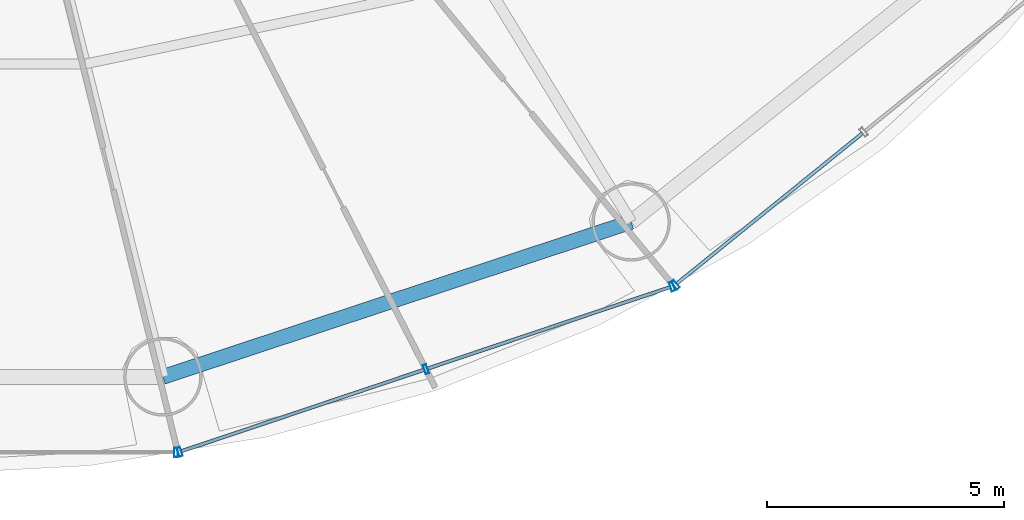
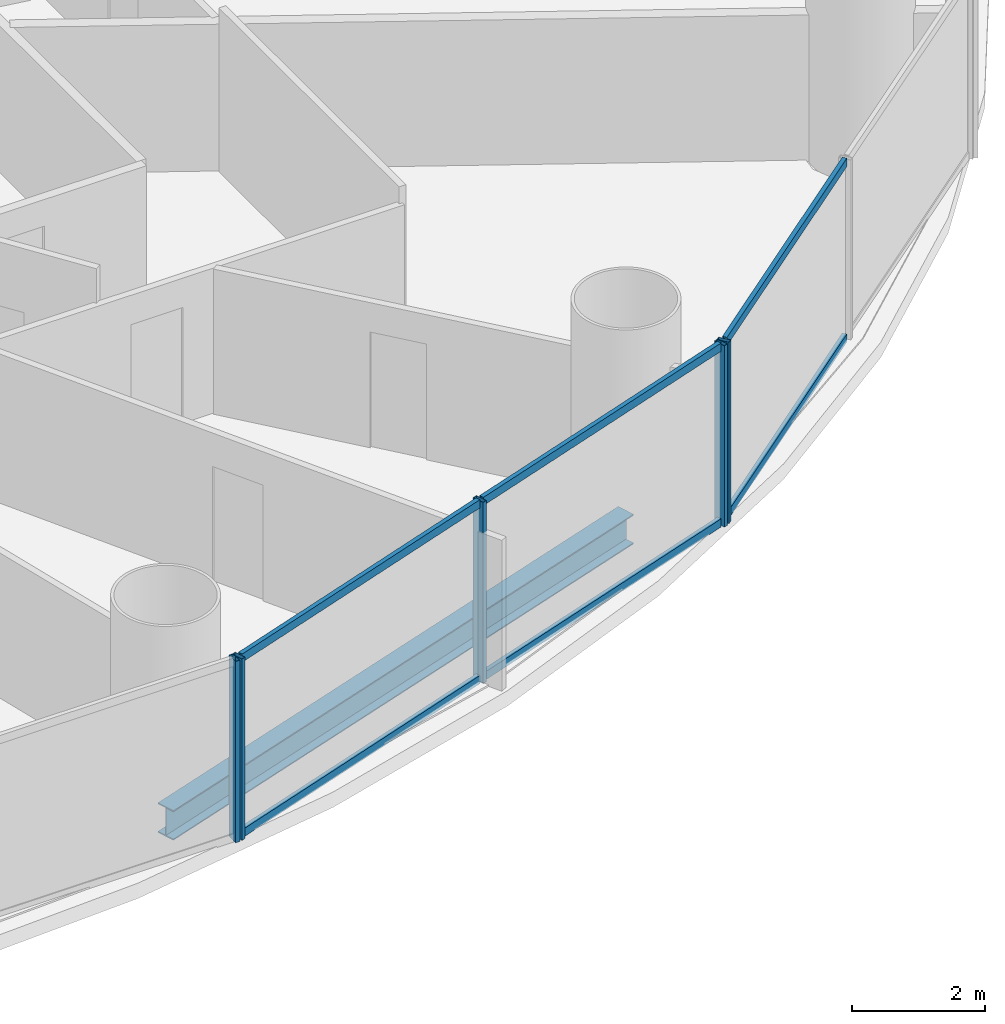
# One storey, part 10 of 29: 11 members, 1 beam, 3 elements without a shape of their own.
"""IFC4 building model written with IfcOpenShell, lengths in metres."""

from ifc_helpers import new_model, si_unit, direction, frame, origin, origin_2d, place, context, subcontext, project, spatial, hollow_rectangle, i_section, extrude, source, transform, mapped, material, material_profile, profile_set, type_object, element, aggregate, save


model = new_model("IFC4")

# Units and contexts
model_context = context("Model", 3, precision=1e-05, world=origin(), true_north=direction((-0.2419218956, 0.970295726276)))
body_context = subcontext(model_context, "Body", "Model", "MODEL_VIEW")
ifc_project = project(units=[si_unit("LENGTHUNIT", "METRE"), si_unit("AREAUNIT", "SQUARE_METRE"), si_unit("VOLUMEUNIT", "CUBIC_METRE"), si_unit("PLANEANGLEUNIT", "RADIAN"), si_unit("MASSUNIT", "GRAM", prefix="KILO")], contexts=[model_context])

# Site, building, storey
site_placement = place(None, origin())
site = spatial("IfcSite", under=ifc_project, at=site_placement, CompositionType="ELEMENT")
building_placement = place(site_placement, origin())
building = spatial("IfcBuilding", under=site, at=building_placement, Name="Cobrevalo Terracotta Tower", CompositionType="ELEMENT")
storey_placement = place(building_placement, frame((0.0, 0.0, 49.199951171875)))
storey = spatial("IfcBuildingStorey", under=building, at=storey_placement, Name="L12", CompositionType="ELEMENT", Elevation=49.199951171875)

# Beam
ifc_material_1 = material(Name="Steel S355", Category="steel")
ifc_material_profile_1 = material_profile(ifc_material_1, i_section(OverallWidth=0.31201171875, OverallDepth=0.54296875, WebThickness=0.0126953125, FlangeThickness=0.020263671875, at=origin_2d()), Name="W 530x150")
ifc_profile_set_1 = profile_set([ifc_material_profile_1], Name="Steel S355")
beam_type = type_object("IfcBeamType", Name="Structural Spandrel W 530x150 (Steel S355)", PredefinedType="SPANDREL", material=ifc_profile_set_1)
beam_placement = place(storey_placement, frame((43.335693359375, 5.369873046875, -0.551513671875), z_axis=(0.949372202648, 0.314153498848, 0.0), x_axis=(-0.314153498848, 0.949372202648, 0.0)))
element("IfcBeam", 1, at=beam_placement, inside=storey, type_object=beam_type, Name="L12 perimeter ring spandrel 13", PredefinedType="SPANDREL", context=body_context, shape_type="SweptSolid", body=[
    extrude(i_section(OverallWidth=0.31201171875, OverallDepth=0.54296875, WebThickness=0.0126953125, FlangeThickness=0.020263671875, at=origin_2d()), origin(), (0.0, 0.0, 1.0), 10.385009765625),
])

# Curtain wall, member
ifc_material_2 = material(Name="Anodized aluminium", Category="aluminium")
curtain_wall_type = type_object("IfcCurtainWallType", Name="Lower-tower unitised acoustic low-E curtain wall CW-U1", PredefinedType="NOTDEFINED", material=ifc_material_2)
curtain_wall_1_placement = place(storey_placement, origin())
curtain_wall_1 = element("IfcCurtainWall", 2, at=curtain_wall_1_placement, inside=storey, type_object=curtain_wall_type, Name="L12 curtain wall CW-L12-S12", PredefinedType="NOTDEFINED")
ifc_material_profile_2 = material_profile(ifc_material_2, hollow_rectangle(XDim=0.074951171875, YDim=0.199951171875, WallThickness=0.0048828125, at=origin_2d()), Name="CWM 75x200")
ifc_profile_set_2 = profile_set([ifc_material_profile_2], Name="Anodized aluminium")
member_type_1 = type_object("IfcMemberType", Name="Lower/mid tower unitised mullion 75x200", PredefinedType="MULLION", material=ifc_profile_set_2)
shared_shape_1 = source(origin(), body_context, "Body", "SweptSolid", [
    extrude(hollow_rectangle(XDim=0.074951171875, YDim=0.199951171875, WallThickness=0.0048828125, at=origin_2d()), origin(), (0.0, 0.0, 1.0), 3.320068359375),
])
member_1_placement = place(storey_placement, frame((43.61181640625, 3.781005859375, 0.0), z_axis=(0.0, 0.0, 1.0), x_axis=(1.0, 0.0, 0.0)))
member_1 = element("IfcMember", 3, at=member_1_placement, type_object=member_type_1, Name="CW-L12-S12 vertical mullion 03", PredefinedType="MULLION", context=body_context, shape_type="MappedRepresentation", body=[
    mapped(shared_shape_1, transform((0.0, 0.0, 0.0), scale=1.0)),
])
aggregate(curtain_wall_1, [member_1])

# Curtain wall, members
curtain_wall_2_placement = place(storey_placement, origin())
curtain_wall_2 = element("IfcCurtainWall", 4, at=curtain_wall_2_placement, inside=storey, type_object=curtain_wall_type, Name="L12 curtain wall CW-L12-S13", PredefinedType="NOTDEFINED")
member_2_placement = place(storey_placement, frame((43.689697265625, 3.793701171875, 0.0), z_axis=(0.0, 0.0, 1.0), x_axis=(0.948046393597, 0.318132103987, 0.0)))
member_2 = element("IfcMember", 5, at=member_2_placement, type_object=member_type_1, Name="CW-L12-S13 vertical mullion 01", PredefinedType="MULLION", context=body_context, shape_type="MappedRepresentation", body=[
    mapped(shared_shape_1, transform((0.0, 0.0, 0.0), scale=1.0)),
])
member_3_placement = place(storey_placement, frame((48.873291015625, 5.533203125, 0.0), z_axis=(0.0, 0.0, 1.0), x_axis=(0.948046393597, 0.318132103987, 0.0)))
member_3 = element("IfcMember", 6, at=member_3_placement, type_object=member_type_1, Name="CW-L12-S13 vertical mullion 02", PredefinedType="MULLION", context=body_context, shape_type="MappedRepresentation", body=[
    mapped(shared_shape_1, transform((0.0, 0.0, 0.0), scale=1.0)),
])
member_4_placement = place(storey_placement, frame((54.056884765625, 7.272705078125, 0.0), z_axis=(0.0, 0.0, 1.0), x_axis=(0.948046393597, 0.318132103987, 0.0)))
member_4 = element("IfcMember", 7, at=member_4_placement, type_object=member_type_1, Name="CW-L12-S13 vertical mullion 03", PredefinedType="MULLION", context=body_context, shape_type="MappedRepresentation", body=[
    mapped(shared_shape_1, transform((0.0, 0.0, 0.0), scale=1.0)),
])

curtain_wall_3_placement = place(storey_placement, origin())
curtain_wall_3 = element("IfcCurtainWall", 8, at=curtain_wall_3_placement, inside=storey, type_object=curtain_wall_type, Name="L12 curtain wall CW-L12-S14", PredefinedType="NOTDEFINED")
member_5_placement = place(storey_placement, frame((54.1259765625, 7.310546875, 0.0), z_axis=(0.0, 0.0, 1.0), x_axis=(0.777003153187, 0.629496703675, 0.0)))
member_5 = element("IfcMember", 9, at=member_5_placement, type_object=member_type_1, Name="CW-L12-S14 vertical mullion 01", PredefinedType="MULLION", context=body_context, shape_type="MappedRepresentation", body=[
    mapped(shared_shape_1, transform((0.0, 0.0, 0.0), scale=1.0)),
])
ifc_material_profile_3 = material_profile(ifc_material_2, hollow_rectangle(XDim=0.074951171875, YDim=0.14990234375, WallThickness=0.00439453125, at=origin_2d()), Name="CWT 75x150")
ifc_profile_set_3 = profile_set([ifc_material_profile_3], Name="Anodized aluminium")
member_type_2 = type_object("IfcMemberType", Name="Tower unitised aluminium transom 75x150", PredefinedType="USERDEFINED", material=ifc_profile_set_3)
shared_shape_2 = source(origin(), body_context, "Body", "SweptSolid", [
    extrude(hollow_rectangle(XDim=0.074951171875, YDim=0.14990234375, WallThickness=0.00439453125, at=origin_2d()), origin(), (0.0, 0.0, 1.0), 5.0234375),
])
member_6_placement = place(storey_placement, frame((54.156982421875, 7.335693359375, 0.050048828125), z_axis=(0.777022991593, 0.629472215857, 0.0), x_axis=(-0.629472215857, 0.777022991593, 0.0)))
member_6 = element("IfcMember", 10, at=member_6_placement, type_object=member_type_2, Name="CW-L12-S14 transom B01-T1", ObjectType="TRANSOM", PredefinedType="USERDEFINED", context=body_context, shape_type="MappedRepresentation", body=[
    mapped(shared_shape_2, transform((0.0, 0.0, 0.0), scale=1.0)),
])
member_7_placement = place(storey_placement, frame((54.156982421875, 7.335693359375, 3.27001953125), z_axis=(0.777022991593, 0.629472215857, 0.0), x_axis=(-0.629472215857, 0.777022991593, 0.0)))
member_7 = element("IfcMember", 11, at=member_7_placement, type_object=member_type_2, Name="CW-L12-S14 transom B01-T2", ObjectType="TRANSOM", PredefinedType="USERDEFINED", context=body_context, shape_type="MappedRepresentation", body=[
    mapped(shared_shape_2, transform((0.0, 0.0, 0.0), scale=1.0)),
])
aggregate(curtain_wall_3, [member_5, member_6, member_7])

# Member
shared_shape_3 = source(origin(), body_context, "Body", "SweptSolid", [
    extrude(hollow_rectangle(XDim=0.074951171875, YDim=0.14990234375, WallThickness=0.00439453125, at=origin_2d()), origin(), (0.0, 0.0, 1.0), 5.387939453125),
])
member_8_placement = place(storey_placement, frame((43.7275390625, 3.806396484375, 0.050048828125), z_axis=(0.94804244582, 0.318143868278, 0.0), x_axis=(-0.318143868278, 0.94804244582, 0.0)))
member_8 = element("IfcMember", 12, at=member_8_placement, type_object=member_type_2, Name="CW-L12-S13 transom B01-T1", ObjectType="TRANSOM", PredefinedType="USERDEFINED", context=body_context, shape_type="MappedRepresentation", body=[
    mapped(shared_shape_3, transform((0.0, 0.0, 0.0), scale=1.0)),
])

member_9_placement = place(storey_placement, frame((43.7275390625, 3.806396484375, 3.27001953125), z_axis=(0.94804244582, 0.318143868278, 0.0), x_axis=(-0.318143868278, 0.94804244582, 0.0)))
member_9 = element("IfcMember", 13, at=member_9_placement, type_object=member_type_2, Name="CW-L12-S13 transom B01-T2", ObjectType="TRANSOM", PredefinedType="USERDEFINED", context=body_context, shape_type="MappedRepresentation", body=[
    mapped(shared_shape_3, transform((0.0, 0.0, 0.0), scale=1.0)),
])

member_10_placement = place(storey_placement, frame((48.9111328125, 5.5458984375, 0.050048828125), z_axis=(0.94804244582, 0.318143868278, 0.0), x_axis=(-0.318143868278, 0.94804244582, 0.0)))
member_10 = element("IfcMember", 14, at=member_10_placement, type_object=member_type_2, Name="CW-L12-S13 transom B02-T1", ObjectType="TRANSOM", PredefinedType="USERDEFINED", context=body_context, shape_type="MappedRepresentation", body=[
    mapped(shared_shape_3, transform((0.0, 0.0, 0.0), scale=1.0)),
])

member_11_placement = place(storey_placement, frame((48.9111328125, 5.5458984375, 3.27001953125), z_axis=(0.94804244582, 0.318143868278, 0.0), x_axis=(-0.318143868278, 0.94804244582, 0.0)))
member_11 = element("IfcMember", 15, at=member_11_placement, type_object=member_type_2, Name="CW-L12-S13 transom B02-T2", ObjectType="TRANSOM", PredefinedType="USERDEFINED", context=body_context, shape_type="MappedRepresentation", body=[
    mapped(shared_shape_3, transform((0.0, 0.0, 0.0), scale=1.0)),
])

aggregate(curtain_wall_2, [member_2, member_3, member_4, member_8, member_9, member_10, member_11])

save(model, "model.ifc")
